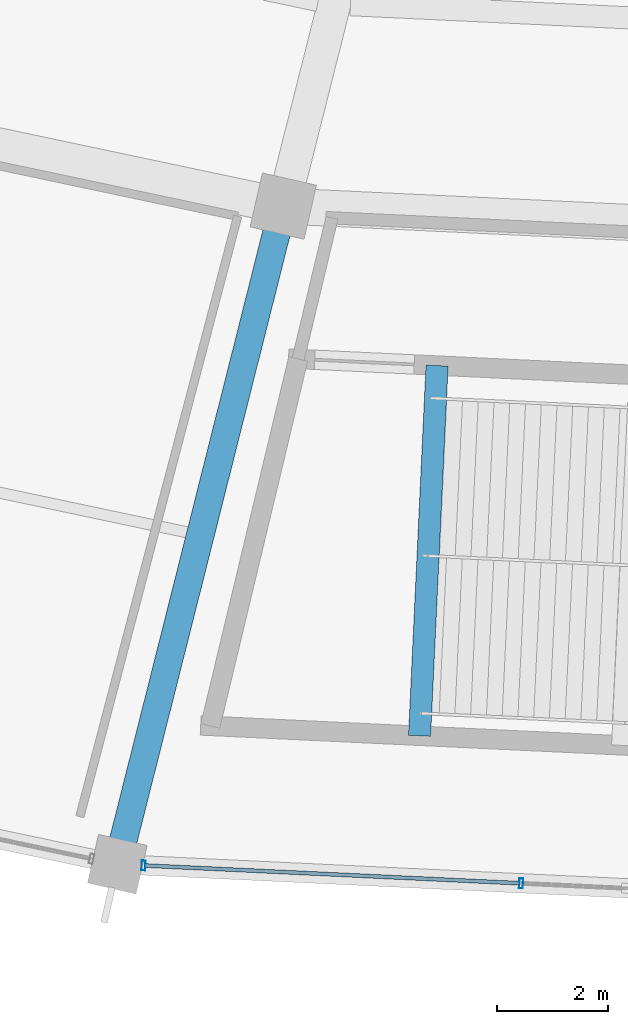
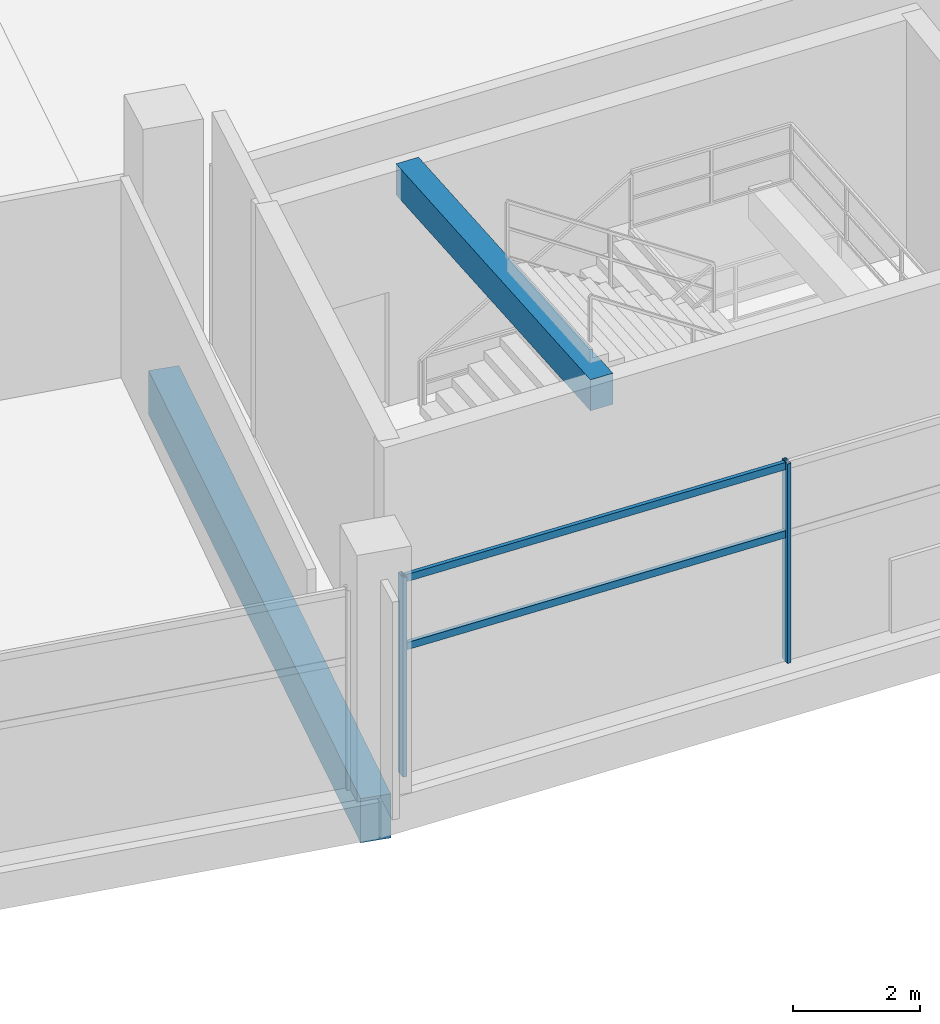
# One storey, part 17 of 156: 4 members, 2 beams, 1 element without a shape of its own.
"""IFC4 building model written with IfcOpenShell, lengths in metres."""

from ifc_helpers import new_model, si_unit, direction, frame, origin, origin_2d, place, context, subcontext, project, spatial, rectangle, hollow_rectangle, extrude, material, layer, layer_set, material_profile, profile_set, type_object, element, aggregate, save


model = new_model("IFC4")

# Units and contexts
model_context = context("Model", 3, precision=1e-05, world=origin(), true_north=direction((0.0, 1.0)))
body_context = subcontext(model_context, "Body", "Model", "MODEL_VIEW")
ifc_project = project(units=[si_unit("LENGTHUNIT", "METRE"), si_unit("AREAUNIT", "SQUARE_METRE"), si_unit("VOLUMEUNIT", "CUBIC_METRE"), si_unit("PLANEANGLEUNIT", "RADIAN"), si_unit("MASSUNIT", "GRAM", prefix="KILO")], contexts=[model_context])

# Site, building, storey
site_placement = place(None, origin())
site = spatial("IfcSite", under=ifc_project, at=site_placement, CompositionType="ELEMENT")
building_placement = place(site_placement, origin())
building = spatial("IfcBuilding", under=site, at=building_placement, Name="Kazemori Nagisa Stadium", CompositionType="ELEMENT")
storey_placement = place(building_placement, frame((0.0, 0.0, 5.780029296875)))
storey = spatial("IfcBuildingStorey", under=building, at=storey_placement, Name="L01", CompositionType="ELEMENT", Elevation=5.780029296875)

# Beams
ifc_material_1 = material(Name="Concrete C40/50 (Fc42)", Category="concrete")
ifc_material_profile_1 = material_profile(ifc_material_1, rectangle(XDim=0.39990234375, YDim=0.60009765625, at=origin_2d()), Name="RC-BM-400x600")
ifc_profile_set_1 = profile_set([ifc_material_profile_1], Name="Concrete C40/50 (Fc42)")
beam_type_1 = type_object("IfcBeamType", Name="Beam_BG-LND400X600", PredefinedType="BEAM", material=ifc_profile_set_1)
beam_1_placement = place(storey_placement, frame((107.352783203125, 26.02783203125, 4.199951171875), z_axis=(-0.047220656191, -0.998884482625, 0.0), x_axis=(0.998884482625, -0.047220656191, 0.0)))
element("IfcBeam", 1, at=beam_1_placement, inside=storey, type_object=beam_type_1, Name="Core stair arrival header girder ST12-L01", PredefinedType="BEAM", context=body_context, shape_type="SweptSolid", body=[
    extrude(rectangle(XDim=0.39990234375, YDim=0.60009765625, at=origin_2d()), origin(), (0.0, 0.0, 1.0), 6.70068359375),
])
ifc_material_profile_2 = material_profile(ifc_material_1, rectangle(XDim=0.5, YDim=0.85009765625, at=origin_2d()), Name="RC-BM-500x850")
ifc_profile_set_2 = profile_set([ifc_material_profile_2], Name="Concrete C40/50 (Fc42)")
beam_type_2 = type_object("IfcBeamType", Name="Beam_BG-RC500X850", PredefinedType="BEAM", material=ifc_profile_set_2)
beam_2_placement = place(storey_placement, frame((104.572265625, 28.911376953125, -0.705078125), z_axis=(-0.244487324834, -0.969652488263, 0.0), x_axis=(0.969652488263, -0.244487324834, 0.0)))
element("IfcBeam", 2, at=beam_2_placement, inside=storey, type_object=beam_type_2, Name="Radial girder BG-RC500X850 L01 R2-R3-21", PredefinedType="BEAM", context=body_context, shape_type="SweptSolid", body=[
    extrude(rectangle(XDim=0.5, YDim=0.85009765625, at=origin_2d()), origin(), (0.0, 0.0, 1.0), 12.2705078125),
])

# Curtain wall, members
ifc_material_2 = material(Name="Anodised aluminium 6063-T5", Category="aluminium")
ifc_layer = layer(ifc_material_2, 0.179931640625, Name="Anodised aluminium 6063-T5", Category="aluminium")
ifc_layer_set = layer_set([ifc_layer], Name="Anodised aluminium 6063-T5")
curtain_wall_type = type_object("IfcCurtainWallType", Name="CW_L01R3_103", PredefinedType="USERDEFINED", material=ifc_layer_set)
curtain_wall_placement = place(storey_placement, origin())
curtain_wall = element("IfcCurtainWall", 3, at=curtain_wall_placement, inside=storey, type_object=curtain_wall_type, Name="Unitised curtain wall CW-L01R3-103 L01", ObjectType="UNITISED CURTAIN WALL", PredefinedType="USERDEFINED")
ifc_material_3 = material(Name="Aluminium 6063-T5 anodised", Category="aluminium")
ifc_material_profile_3 = material_profile(ifc_material_3, hollow_rectangle(XDim=0.070068359375, YDim=0.179931640625, WallThickness=0.00390625, at=origin_2d()), Name="ALU-MULL-70x180x4")
ifc_profile_set_3 = profile_set([ifc_material_profile_3], Name="Aluminium 6063-T5 anodised")
member_type_1 = type_object("IfcMemberType", Name="Mullion_M01", PredefinedType="MULLION", material=ifc_profile_set_3)
member_1_placement = place(storey_placement, frame((102.046875, 16.99072265625, 0.0), z_axis=(0.0, 0.0, 1.0), x_axis=(0.998884022476, -0.047230388971, 0.0)))
member_1 = element("IfcMember", 4, at=member_1_placement, type_object=member_type_1, Name="Curtain wall mullion CW-L01R3-103-M1", PredefinedType="MULLION", context=body_context, shape_type="SweptSolid", body=[
    extrude(hollow_rectangle(XDim=0.070068359375, YDim=0.179931640625, WallThickness=0.00390625, at=origin_2d()), origin(), (0.0, 0.0, 1.0), 3.849853515625),
])
member_2_placement = place(storey_placement, frame((108.873046875, 16.66796875, 0.0), z_axis=(0.0, 0.0, 1.0), x_axis=(0.998884022476, -0.047230388971, 0.0)))
member_2 = element("IfcMember", 5, at=member_2_placement, type_object=member_type_1, Name="Curtain wall mullion CW-L01R3-103-M2", PredefinedType="MULLION", context=body_context, shape_type="SweptSolid", body=[
    extrude(hollow_rectangle(XDim=0.070068359375, YDim=0.179931640625, WallThickness=0.00390625, at=origin_2d()), origin(), (0.0, 0.0, 1.0), 3.849853515625),
])
ifc_material_profile_4 = material_profile(ifc_material_3, hollow_rectangle(XDim=0.070068359375, YDim=0.139892578125, WallThickness=0.00390625, at=origin_2d()), Name="ALU-TRAN-70x140x4")
ifc_profile_set_4 = profile_set([ifc_material_profile_4], Name="Aluminium 6063-T5 anodised")
member_type_2 = type_object("IfcMemberType", Name="Transom_T01", PredefinedType="USERDEFINED", material=ifc_profile_set_4)
member_3_placement = place(storey_placement, frame((102.066650390625, 16.98974609375, 2.4638671875), z_axis=(0.998884581669, -0.047218561007, 0.0), x_axis=(0.047218561007, 0.998884581669, 0.0)))
member_3 = element("IfcMember", 6, at=member_3_placement, type_object=member_type_2, Name="Curtain wall transom CW-L01R3-103-T1-mid", ObjectType="TRANSOM", PredefinedType="USERDEFINED", context=body_context, shape_type="SweptSolid", body=[
    extrude(hollow_rectangle(XDim=0.070068359375, YDim=0.139892578125, WallThickness=0.00390625, at=origin_2d()), origin(), (0.0, 0.0, 1.0), 6.7939453125),
])
member_4_placement = place(storey_placement, frame((102.066650390625, 16.98974609375, 3.780029296875), z_axis=(0.998884581669, -0.047218561007, 0.0), x_axis=(0.047218561007, 0.998884581669, 0.0)))
member_4 = element("IfcMember", 7, at=member_4_placement, type_object=member_type_2, Name="Curtain wall transom CW-L01R3-103-T1-head", ObjectType="TRANSOM", PredefinedType="USERDEFINED", context=body_context, shape_type="SweptSolid", body=[
    extrude(hollow_rectangle(XDim=0.070068359375, YDim=0.139892578125, WallThickness=0.00390625, at=origin_2d()), origin(), (0.0, 0.0, 1.0), 6.7939453125),
])
aggregate(curtain_wall, [member_1, member_2, member_3, member_4])

save(model, "model.ifc")
